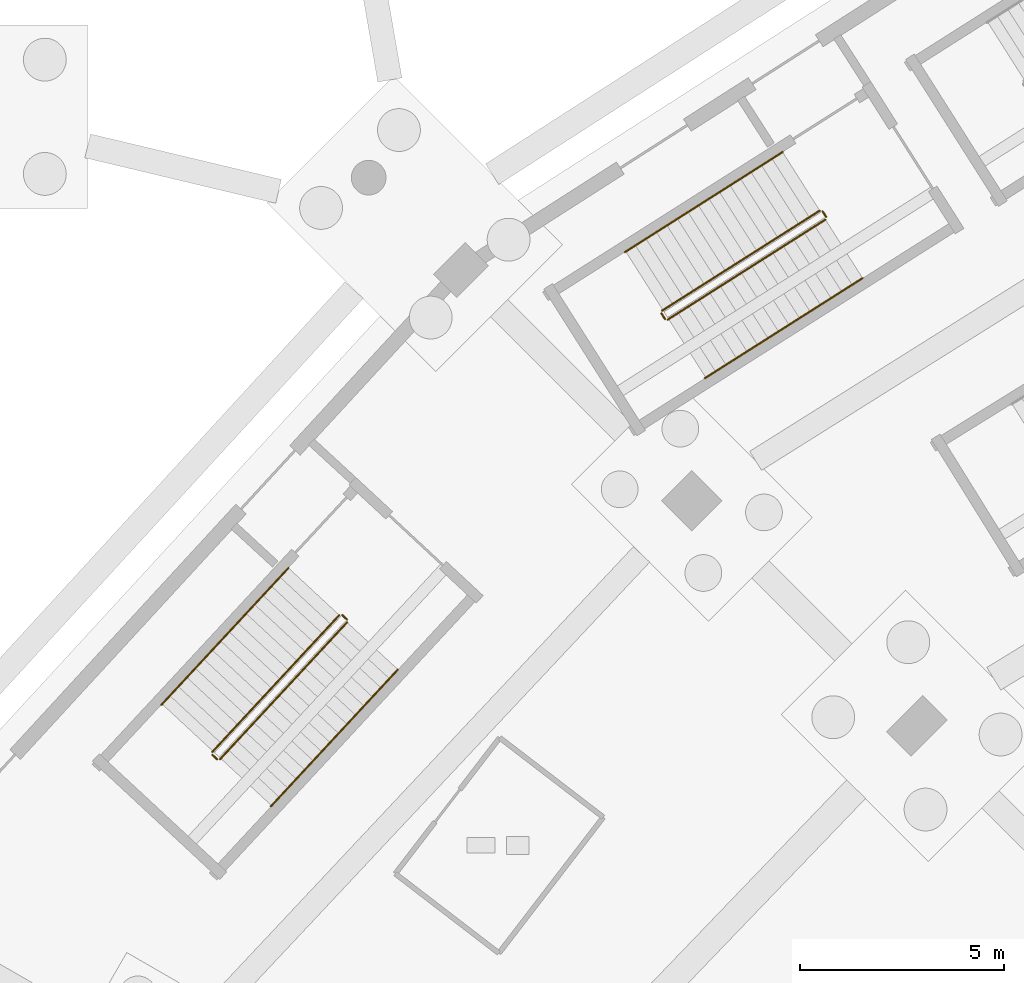
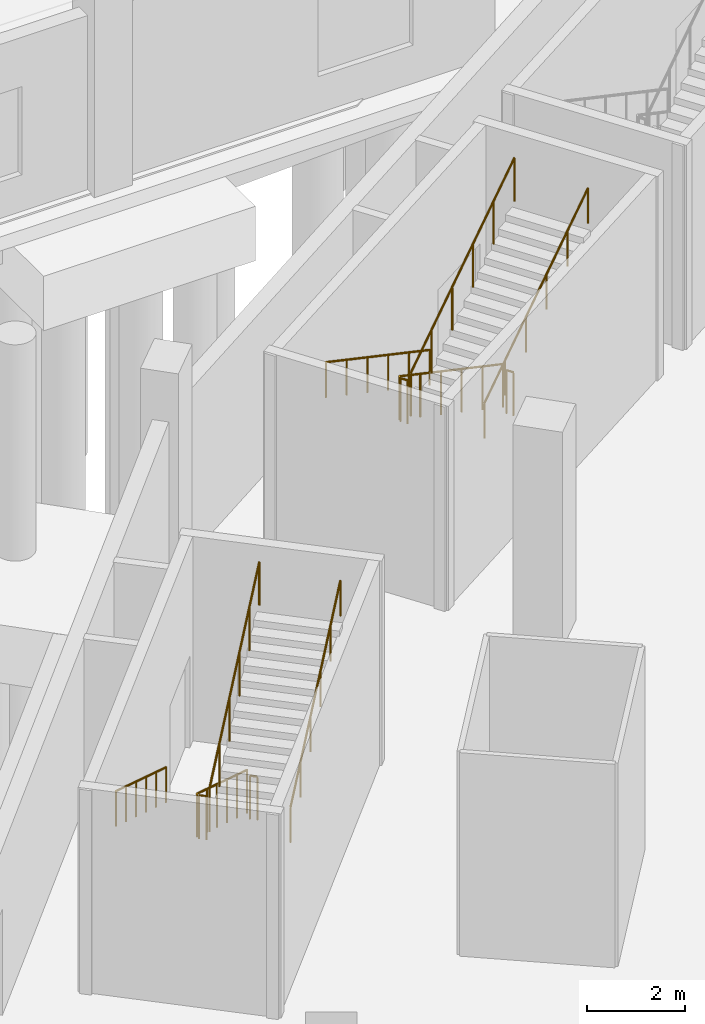
# One storey, part 84 of 103: 12 railings.
"""IFC4 building model written with IfcOpenShell, lengths in metres."""

from ifc_helpers import new_model, si_unit, direction, frame, origin, origin_2d, place, context, subcontext, project, spatial, circle, extrude, material, type_object, element, save


model = new_model("IFC4")

# Units and contexts
model_context = context("Model", 3, precision=1e-05, world=origin(), true_north=direction((0.0, 1.0)))
body_context = subcontext(model_context, "Body", "Model", "MODEL_VIEW")
ifc_project = project(units=[si_unit("LENGTHUNIT", "METRE"), si_unit("AREAUNIT", "SQUARE_METRE"), si_unit("VOLUMEUNIT", "CUBIC_METRE"), si_unit("PLANEANGLEUNIT", "RADIAN"), si_unit("MASSUNIT", "GRAM", prefix="KILO")], contexts=[model_context])

# Site, building, storey
site_placement = place(None, origin())
site = spatial("IfcSite", under=ifc_project, at=site_placement, CompositionType="ELEMENT")
building_placement = place(site_placement, origin())
building = spatial("IfcBuilding", under=site, at=building_placement, Name="Zevraka Park Crest Stadium", CompositionType="ELEMENT")
storey_placement = place(building_placement, origin())
storey = spatial("IfcBuildingStorey", under=building, at=storey_placement, Name="L00", CompositionType="ELEMENT", Elevation=0.0)

# Railings
ifc_material_1 = material(Name="Powder-coated tubular steel stairwell guard", Category="steel")
railing_type_1 = type_object("IfcRailingType", Name="GR03", PredefinedType="GUARDRAIL", material=ifc_material_1)
railing_1_placement = place(storey_placement, frame((45.1650390625, 136.787109375, 0.168701171875)))
element("IfcRailing", 1, at=railing_1_placement, inside=storey, type_object=railing_type_1, Name="L00 ST10 stair guard 1", PredefinedType="GUARDRAIL", context=body_context, shape_type="SweptSolid", body=[
    extrude(circle(Radius=0.02392578125, at=origin_2d()), frame((0.0, 0.0, 1.076171875), z_axis=(-0.595217883246, -0.641352288883, 0.484131090727), x_axis=(0.732977832241, -0.68025252476, 0.0)), (0.0, 0.0, 1.0), 5.228515625),
    extrude(circle(Radius=0.02099609375, at=origin_2d()), origin(), (0.0, 0.0, 1.0), 1.052001953125),
    extrude(circle(Radius=0.02099609375, at=origin_2d()), frame((-0.622314453125, -0.670654296875, 0.50634765625)), (0.0, 0.0, 1.0), 1.052001953125),
    extrude(circle(Radius=0.02099609375, at=origin_2d()), frame((-1.244873046875, -1.34130859375, 1.012451171875)), (0.0, 0.0, 1.0), 1.052001953125),
    extrude(circle(Radius=0.02099609375, at=origin_2d()), frame((-1.8671875, -2.011962890625, 1.518798828125)), (0.0, 0.0, 1.0), 1.052001953125),
    extrude(circle(Radius=0.02099609375, at=origin_2d()), frame((-2.48974609375, -2.6826171875, 2.02490234375)), (0.0, 0.0, 1.0), 1.052001953125),
    extrude(circle(Radius=0.02099609375, at=origin_2d()), frame((-3.112060546875, -3.353271484375, 2.53125)), (0.0, 0.0, 1.0), 1.052001953125),
])
railing_2_placement = place(storey_placement, frame((42.055419921875, 133.363037109375, 2.699951171875)))
element("IfcRailing", 2, at=railing_2_placement, inside=storey, type_object=railing_type_1, Name="L00 ST10 stair guard 2", PredefinedType="GUARDRAIL", context=body_context, shape_type="SweptSolid", body=[
    extrude(circle(Radius=0.02392578125, at=origin_2d()), frame((0.0, 0.0, 1.076171875), z_axis=(0.733281976316, -0.679924659952, 0.0), x_axis=(0.679924659952, 0.733281976316, 0.0)), (0.0, 0.0, 1.0), 0.16015625),
    extrude(circle(Radius=0.02099609375, at=origin_2d()), origin(), (0.0, 0.0, 1.0), 1.052001953125),
    extrude(circle(Radius=0.02099609375, at=origin_2d()), frame((0.117431640625, -0.10888671875, 0.0)), (0.0, 0.0, 1.0), 1.052001953125),
])
railing_3_placement = place(storey_placement, frame((42.243408203125, 133.2568359375, 2.86865234375)))
element("IfcRailing", 3, at=railing_3_placement, inside=storey, type_object=railing_type_1, Name="L00 ST10 stair guard 3", PredefinedType="GUARDRAIL", context=body_context, shape_type="SweptSolid", body=[
    extrude(circle(Radius=0.02392578125, at=origin_2d()), frame((0.0, 0.0, 1.076171875), z_axis=(0.595230208302, 0.641361950207, 0.484103137722), x_axis=(-0.732975918341, 0.680254586998, 0.0)), (0.0, 0.0, 1.0), 5.228759765625),
    extrude(circle(Radius=0.02099609375, at=origin_2d()), origin(), (0.0, 0.0, 1.0), 1.052001953125),
    extrude(circle(Radius=0.02099609375, at=origin_2d()), frame((0.62255859375, 0.670654296875, 0.50634765625)), (0.0, 0.0, 1.0), 1.052001953125),
    extrude(circle(Radius=0.02099609375, at=origin_2d()), frame((1.244873046875, 1.34130859375, 1.012451171875)), (0.0, 0.0, 1.0), 1.052001953125),
    extrude(circle(Radius=0.02099609375, at=origin_2d()), frame((1.867431640625, 2.01220703125, 1.518798828125)), (0.0, 0.0, 1.0), 1.052001953125),
    extrude(circle(Radius=0.02099609375, at=origin_2d()), frame((2.48974609375, 2.682861328125, 2.02490234375)), (0.0, 0.0, 1.0), 1.052001953125),
    extrude(circle(Radius=0.02099609375, at=origin_2d()), frame((3.1123046875, 3.353515625, 2.53125)), (0.0, 0.0, 1.0), 1.052001953125),
])
railing_4_placement = place(storey_placement, frame((45.23583984375, 136.789794921875, 0.0)))
element("IfcRailing", 4, at=railing_4_placement, inside=storey, type_object=railing_type_1, Name="L00 ST10 stair guard 4", PredefinedType="GUARDRAIL", context=body_context, shape_type="SweptSolid", body=[
    extrude(circle(Radius=0.02392578125, at=origin_2d()), frame((0.0, 0.0, 1.076171875), z_axis=(0.732576022975, -0.680685221348, 0.0), x_axis=(0.680685221348, 0.732576022975, 0.0)), (0.0, 0.0, 1.0), 0.159912109375),
    extrude(circle(Radius=0.02099609375, at=origin_2d()), origin(), (0.0, 0.0, 1.0), 1.052001953125),
    extrude(circle(Radius=0.02099609375, at=origin_2d()), frame((0.1171875, -0.10888671875, 0.0)), (0.0, 0.0, 1.0), 1.052001953125),
])
railing_5_placement = place(storey_placement, frame((56.939453125, 146.699951171875, 0.168701171875)))
element("IfcRailing", 5, at=railing_5_placement, inside=storey, type_object=railing_type_1, Name="L00 ST28 stair guard 1", PredefinedType="GUARDRAIL", context=body_context, shape_type="SweptSolid", body=[
    extrude(circle(Radius=0.02392578125, at=origin_2d()), frame((0.0, 0.0, 1.076171875), z_axis=(-0.738840749407, -0.46876207314, 0.484124432146), x_axis=(0.535728596419, -0.844390236193, 0.0)), (0.0, 0.0, 1.0), 5.228515625),
    extrude(circle(Radius=0.02099609375, at=origin_2d()), origin(), (0.0, 0.0, 1.0), 1.052001953125),
    extrude(circle(Radius=0.02099609375, at=origin_2d()), frame((-0.772705078125, -0.490234375, 0.50634765625)), (0.0, 0.0, 1.0), 1.052001953125),
    extrude(circle(Radius=0.02099609375, at=origin_2d()), frame((-1.545166015625, -0.98046875, 1.012451171875)), (0.0, 0.0, 1.0), 1.052001953125),
    extrude(circle(Radius=0.02099609375, at=origin_2d()), frame((-2.31787109375, -1.470458984375, 1.518798828125)), (0.0, 0.0, 1.0), 1.052001953125),
    extrude(circle(Radius=0.02099609375, at=origin_2d()), frame((-3.09033203125, -1.960693359375, 2.02490234375)), (0.0, 0.0, 1.0), 1.052001953125),
    extrude(circle(Radius=0.02099609375, at=origin_2d()), frame((-3.863037109375, -2.450927734375, 2.53125)), (0.0, 0.0, 1.0), 1.052001953125),
])
railing_6_placement = place(storey_placement, frame((53.06103515625, 144.18017578125, 2.699951171875)))
element("IfcRailing", 6, at=railing_6_placement, inside=storey, type_object=railing_type_1, Name="L00 ST28 stair guard 2", PredefinedType="GUARDRAIL", context=body_context, shape_type="SweptSolid", body=[
    extrude(circle(Radius=0.02392578125, at=origin_2d()), frame((0.0, 0.0, 1.076171875), z_axis=(0.535197175111, -0.844727165275, 0.0), x_axis=(0.844727165275, 0.535197175111, 0.0)), (0.0, 0.0, 1.0), 0.16015625),
    extrude(circle(Radius=0.02099609375, at=origin_2d()), origin(), (0.0, 0.0, 1.0), 1.052001953125),
    extrude(circle(Radius=0.02099609375, at=origin_2d()), frame((0.085693359375, -0.13525390625, 0.0)), (0.0, 0.0, 1.0), 1.052001953125),
])
railing_7_placement = place(storey_placement, frame((53.215576171875, 144.029541015625, 2.86865234375)))
element("IfcRailing", 7, at=railing_7_placement, inside=storey, type_object=railing_type_1, Name="L00 ST28 stair guard 3", PredefinedType="GUARDRAIL", context=body_context, shape_type="SweptSolid", body=[
    extrude(circle(Radius=0.02392578125, at=origin_2d()), frame((0.0, 0.0, 1.076171875), z_axis=(0.738861952771, 0.468745901407, 0.48410773043), x_axis=(-0.535704457002, 0.844405551111, 0.0)), (0.0, 0.0, 1.0), 5.228759765625),
    extrude(circle(Radius=0.02099609375, at=origin_2d()), origin(), (0.0, 0.0, 1.0), 1.052001953125),
    extrude(circle(Radius=0.02099609375, at=origin_2d()), frame((0.772705078125, 0.490234375, 0.50634765625)), (0.0, 0.0, 1.0), 1.052001953125),
    extrude(circle(Radius=0.02099609375, at=origin_2d()), frame((1.54541015625, 0.98046875, 1.012451171875)), (0.0, 0.0, 1.0), 1.052001953125),
    extrude(circle(Radius=0.02099609375, at=origin_2d()), frame((2.31787109375, 1.470458984375, 1.518798828125)), (0.0, 0.0, 1.0), 1.052001953125),
    extrude(circle(Radius=0.02099609375, at=origin_2d()), frame((3.090576171875, 1.960693359375, 2.02490234375)), (0.0, 0.0, 1.0), 1.052001953125),
    extrude(circle(Radius=0.02099609375, at=origin_2d()), frame((3.86328125, 2.450927734375, 2.53125)), (0.0, 0.0, 1.0), 1.052001953125),
])
railing_8_placement = place(storey_placement, frame((57.008544921875, 146.6845703125, 0.0)))
element("IfcRailing", 8, at=railing_8_placement, inside=storey, type_object=railing_type_1, Name="L00 ST28 stair guard 4", PredefinedType="GUARDRAIL", context=body_context, shape_type="SweptSolid", body=[
    extrude(circle(Radius=0.02392578125, at=origin_2d()), frame((0.0, 0.0, 1.076171875), z_axis=(0.535887230789, -0.844289568736, 0.0), x_axis=(0.844289568736, 0.535887230789, 0.0)), (0.0, 0.0, 1.0), 0.159912109375),
    extrude(circle(Radius=0.02099609375, at=origin_2d()), origin(), (0.0, 0.0, 1.0), 1.052001953125),
    extrude(circle(Radius=0.02099609375, at=origin_2d()), frame((0.085693359375, -0.135009765625, 0.0)), (0.0, 0.0, 1.0), 1.052001953125),
])
ifc_material_2 = material(Name="Brushed stainless steel continuous handrail", Category="steel")
railing_type_2 = type_object("IfcRailingType", Name="HR01", PredefinedType="HANDRAIL", material=ifc_material_2)
railing_9_placement = place(storey_placement, frame((43.9189453125, 137.943603515625, 0.168701171875)))
element("IfcRailing", 9, at=railing_9_placement, inside=storey, type_object=railing_type_2, Name="L00 ST10 stair handrail 1", PredefinedType="HANDRAIL", context=body_context, shape_type="SweptSolid", body=[
    extrude(circle(Radius=0.02392578125, at=origin_2d()), frame((0.0, 0.0, 0.8759765625), z_axis=(-0.595200057944, -0.641379775313, 0.484116592199), x_axis=(0.733002525421, -0.680225916682, 0.0)), (0.0, 0.0, 1.0), 5.228515625),
    extrude(circle(Radius=0.02099609375, at=origin_2d()), origin(), (0.0, 0.0, 1.0), 0.851806640625),
    extrude(circle(Radius=0.02099609375, at=origin_2d()), frame((-0.622314453125, -0.670654296875, 0.50634765625)), (0.0, 0.0, 1.0), 0.851806640625),
    extrude(circle(Radius=0.02099609375, at=origin_2d()), frame((-1.244873046875, -1.34130859375, 1.012451171875)), (0.0, 0.0, 1.0), 0.851806640625),
    extrude(circle(Radius=0.02099609375, at=origin_2d()), frame((-1.8671875, -2.01220703125, 1.518798828125)), (0.0, 0.0, 1.0), 0.851806640625),
    extrude(circle(Radius=0.02099609375, at=origin_2d()), frame((-2.48974609375, -2.682861328125, 2.02490234375)), (0.0, 0.0, 1.0), 0.851806640625),
    extrude(circle(Radius=0.02099609375, at=origin_2d()), frame((-3.112060546875, -3.353515625, 2.53125)), (0.0, 0.0, 1.0), 0.851806640625),
])
railing_10_placement = place(storey_placement, frame((43.489501953125, 132.100341796875, 2.86865234375)))
element("IfcRailing", 10, at=railing_10_placement, inside=storey, type_object=railing_type_2, Name="L00 ST10 stair handrail 2", PredefinedType="HANDRAIL", context=body_context, shape_type="SweptSolid", body=[
    extrude(circle(Radius=0.02392578125, at=origin_2d()), frame((0.0, 0.0, 0.8759765625), z_axis=(0.595230208302, 0.641361950207, 0.484103137722), x_axis=(-0.732975918341, 0.680254586998, 0.0)), (0.0, 0.0, 1.0), 5.228759765625),
    extrude(circle(Radius=0.02099609375, at=origin_2d()), origin(), (0.0, 0.0, 1.0), 0.851806640625),
    extrude(circle(Radius=0.02099609375, at=origin_2d()), frame((0.62255859375, 0.670654296875, 0.50634765625)), (0.0, 0.0, 1.0), 0.851806640625),
    extrude(circle(Radius=0.02099609375, at=origin_2d()), frame((1.244873046875, 1.34130859375, 1.012451171875)), (0.0, 0.0, 1.0), 0.851806640625),
    extrude(circle(Radius=0.02099609375, at=origin_2d()), frame((1.867431640625, 2.01220703125, 1.518798828125)), (0.0, 0.0, 1.0), 0.851806640625),
    extrude(circle(Radius=0.02099609375, at=origin_2d()), frame((2.48974609375, 2.682861328125, 2.02490234375)), (0.0, 0.0, 1.0), 0.851806640625),
    extrude(circle(Radius=0.02099609375, at=origin_2d()), frame((3.1123046875, 3.353515625, 2.53125)), (0.0, 0.0, 1.0), 0.851806640625),
])
railing_11_placement = place(storey_placement, frame((56.02880859375, 148.135498046875, 0.168701171875)))
element("IfcRailing", 11, at=railing_11_placement, inside=storey, type_object=railing_type_2, Name="L00 ST28 stair handrail 1", PredefinedType="HANDRAIL", context=body_context, shape_type="SweptSolid", body=[
    extrude(circle(Radius=0.02392578125, at=origin_2d()), frame((0.0, 0.0, 0.8759765625), z_axis=(-0.738840749407, -0.46876207314, 0.484124432146), x_axis=(0.535728596419, -0.844390236193, 0.0)), (0.0, 0.0, 1.0), 5.228515625),
    extrude(circle(Radius=0.02099609375, at=origin_2d()), origin(), (0.0, 0.0, 1.0), 0.851806640625),
    extrude(circle(Radius=0.02099609375, at=origin_2d()), frame((-0.772705078125, -0.490234375, 0.50634765625)), (0.0, 0.0, 1.0), 0.851806640625),
    extrude(circle(Radius=0.02099609375, at=origin_2d()), frame((-1.545166015625, -0.98046875, 1.012451171875)), (0.0, 0.0, 1.0), 0.851806640625),
    extrude(circle(Radius=0.02099609375, at=origin_2d()), frame((-2.31787109375, -1.470458984375, 1.518798828125)), (0.0, 0.0, 1.0), 0.851806640625),
    extrude(circle(Radius=0.02099609375, at=origin_2d()), frame((-3.09033203125, -1.960693359375, 2.02490234375)), (0.0, 0.0, 1.0), 0.851806640625),
    extrude(circle(Radius=0.02099609375, at=origin_2d()), frame((-3.863037109375, -2.450927734375, 2.53125)), (0.0, 0.0, 1.0), 0.851806640625),
])
railing_12_placement = place(storey_placement, frame((54.12646484375, 142.593994140625, 2.86865234375)))
element("IfcRailing", 12, at=railing_12_placement, inside=storey, type_object=railing_type_2, Name="L00 ST28 stair handrail 2", PredefinedType="HANDRAIL", context=body_context, shape_type="SweptSolid", body=[
    extrude(circle(Radius=0.02392578125, at=origin_2d()), frame((0.0, 0.0, 0.8759765625), z_axis=(0.738840749407, 0.46876207314, 0.484124432146), x_axis=(-0.535728596419, 0.844390236193, 0.0)), (0.0, 0.0, 1.0), 5.228515625),
    extrude(circle(Radius=0.02099609375, at=origin_2d()), origin(), (0.0, 0.0, 1.0), 0.851806640625),
    extrude(circle(Radius=0.02099609375, at=origin_2d()), frame((0.772705078125, 0.490234375, 0.50634765625)), (0.0, 0.0, 1.0), 0.851806640625),
    extrude(circle(Radius=0.02099609375, at=origin_2d()), frame((1.545166015625, 0.98046875, 1.012451171875)), (0.0, 0.0, 1.0), 0.851806640625),
    extrude(circle(Radius=0.02099609375, at=origin_2d()), frame((2.31787109375, 1.470458984375, 1.518798828125)), (0.0, 0.0, 1.0), 0.851806640625),
    extrude(circle(Radius=0.02099609375, at=origin_2d()), frame((3.09033203125, 1.960693359375, 2.02490234375)), (0.0, 0.0, 1.0), 0.851806640625),
    extrude(circle(Radius=0.02099609375, at=origin_2d()), frame((3.863037109375, 2.450927734375, 2.53125)), (0.0, 0.0, 1.0), 0.851806640625),
])

save(model, "model.ifc")
